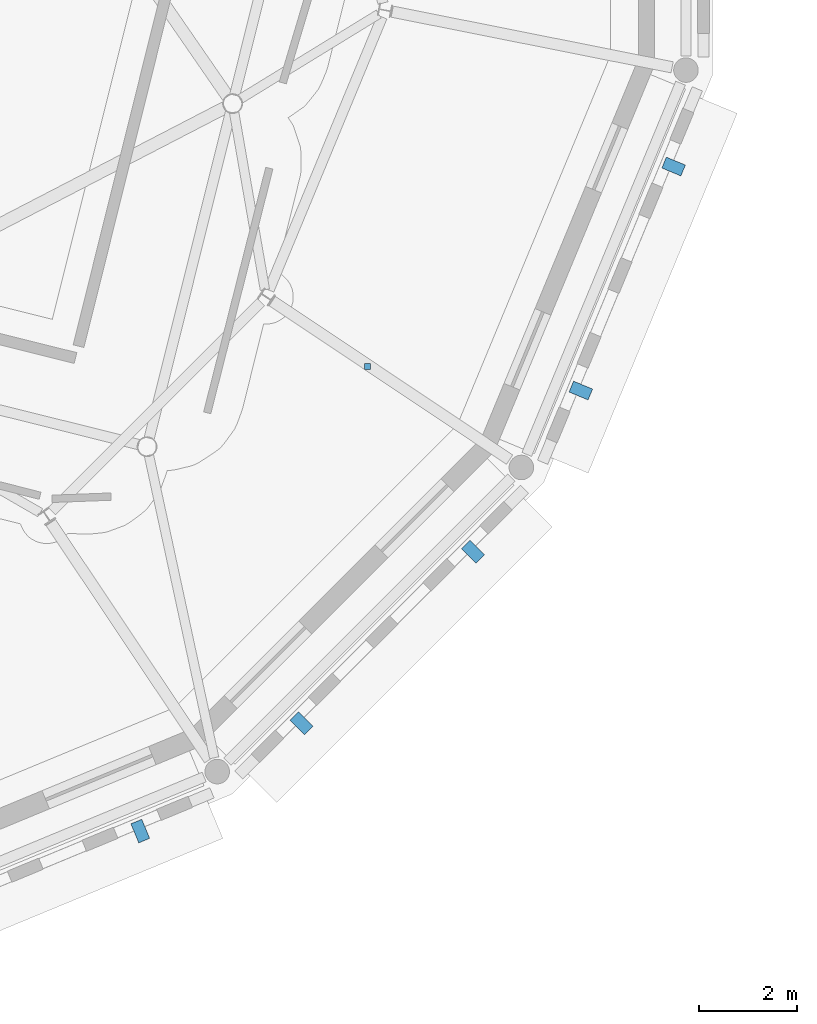
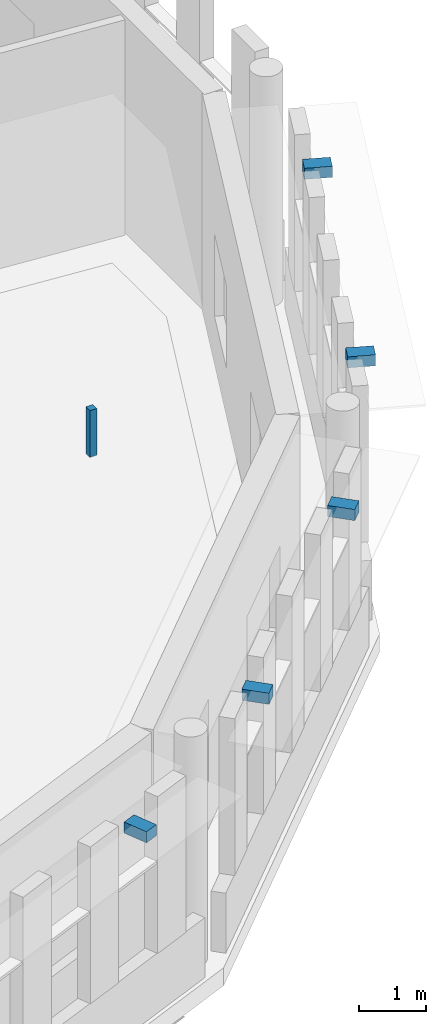
# One storey, part 81 of 90: 6 discrete accessories.
"""IFC4 building model written with IfcOpenShell, lengths in metres."""

import ifcopenshell
import ifcopenshell.guid

model = None  # the IFC model being written
_history = None  # IfcOwnerHistory: only IFC2X3 demands one
_inside = {}  # id of a spatial element -> (the spatial element, [elements in it])
_under = {}  # id of a project, library or spatial element -> (it, [spatial elements below it])
_declared = {}  # id of a project -> (the project, [libraries it declares])
_typed = {}  # id of a type object -> (the type object, [elements of that type])
_made_of = {}  # id of a material, layer set ... -> (it, [elements and type objects made of it])


def new_model(schema):
    """Start an empty IFC model of exactly this schema.

    Asked for "IFC4X3", IfcOpenShell would pick the latest addendum, in which some entities
    have other attributes; the version numbers below select the first issue.
    IFC2X3 requires an IfcOwnerHistory on every rooted entity: one is made here for all.
    """
    global model, _history
    if schema == "IFC4X3":
        model = ifcopenshell.file(schema_version=(4, 3, 0, 0))
    else:
        model = ifcopenshell.file(schema=schema)
    _inside.clear()
    _under.clear()
    _declared.clear()
    _typed.clear()
    _made_of.clear()
    _history = None
    if model.schema == "IFC2X3":
        org = make("IfcOrganization", Name="unknown")
        user = make(
            "IfcPersonAndOrganization",
            ThePerson=make("IfcPerson", FamilyName="unknown"),
            TheOrganization=org,
        )
        app = make(
            "IfcApplication",
            ApplicationDeveloper=org,
            Version="unknown",
            ApplicationFullName="unknown",
            ApplicationIdentifier="unknown",
        )
        _history = make(
            "IfcOwnerHistory",
            OwningUser=user,
            OwningApplication=app,
            ChangeAction="ADDED",
            CreationDate=0,
        )
    return model


def make(cls, **values):
    """One entity of the class cls with the attributes given. An attribute that is None is left unset."""
    return model.create_entity(
        cls, **{name: value for name, value in values.items() if value is not None}
    )


def rooted(cls, **values):
    """An entity with a GlobalId (a new one), such as an element, a storey or a relation."""
    return make(cls, GlobalId=ifcopenshell.guid.new(), OwnerHistory=_history, **values)


def si_unit(unit_type, name, prefix=None):
    """IfcSIUnit, for example si_unit("LENGTHUNIT", "METRE", prefix="MILLI")."""
    return make("IfcSIUnit", UnitType=unit_type, Prefix=prefix, Name=name)


def assignment(units):
    """IfcUnitAssignment: the units of a project."""
    return None if units is None else make("IfcUnitAssignment", Units=units)


def point(xyz):
    """IfcCartesianPoint."""
    return None if xyz is None else make("IfcCartesianPoint", Coordinates=xyz)


def direction(xyz):
    """IfcDirection."""
    return None if xyz is None else make("IfcDirection", DirectionRatios=xyz)


def frame(location, z_axis=None, x_axis=None):
    """IfcAxis2Placement3D, a coordinate frame: its origin and axes. An axis left out is left unset."""
    return make(
        "IfcAxis2Placement3D",
        Location=point(location),
        Axis=direction(z_axis),
        RefDirection=direction(x_axis),
    )


def frame_2d(location, x_axis=None):
    """IfcAxis2Placement2D, a coordinate frame in the plane: its origin and x axis."""
    return make(
        "IfcAxis2Placement2D", Location=point(location), RefDirection=direction(x_axis)
    )


def origin():
    """The frame at (0, 0, 0) with its axes left unset."""
    return frame((0.0, 0.0, 0.0))


def origin_2d():
    """The frame at (0, 0) in the plane with its x axis left unset."""
    return frame_2d((0.0, 0.0))


def place(relative_to, where):
    """IfcLocalPlacement: puts the frame where relative to a parent placement (None: the world)."""
    return make(
        "IfcLocalPlacement", PlacementRelTo=relative_to, RelativePlacement=where
    )


def context(
    kind, dimensions, precision=None, world=None, true_north=None, identifier=None
):
    """IfcGeometricRepresentationContext, for example the 3D "Model" context."""
    return make(
        "IfcGeometricRepresentationContext",
        ContextIdentifier=identifier,
        ContextType=kind,
        CoordinateSpaceDimension=dimensions,
        Precision=precision,
        WorldCoordinateSystem=world,
        TrueNorth=true_north,
    )


def subcontext(parent, identifier, kind, view, scale=None):
    """IfcGeometricRepresentationSubContext, for example "Body" below "Model"."""
    return make(
        "IfcGeometricRepresentationSubContext",
        ContextIdentifier=identifier,
        ContextType=kind,
        ParentContext=parent,
        TargetScale=scale,
        TargetView=view,
    )


def project(units=None, contexts=None):
    """IfcProject with its units and contexts."""
    return rooted(
        "IfcProject",
        Name="project",
        RepresentationContexts=contexts,
        UnitsInContext=assignment(units),
    )


def spatial(cls, under=None, at=None, **own):
    """A site, building, storey or space (cls), placed at a placement, below another one or the project."""
    s = rooted(cls, ObjectPlacement=at, **own)
    if under is not None:
        _under.setdefault(under.id(), (under, []))[1].append(s)
    return s


def profile(cls, at=None, kind="AREA", **sizes):
    """A parametric profile (cls). Its sizes go by their IFC names, for example OverallWidth=200.0."""
    return make(cls, ProfileType=kind, Position=at, **sizes)


def rectangle(**sizes):
    """IfcRectangleProfileDef."""
    return profile("IfcRectangleProfileDef", **sizes)


def extrude(swept, where, along, depth):
    """IfcExtrudedAreaSolid: the profile swept, set in the frame where, extruded along a direction by depth."""
    return make(
        "IfcExtrudedAreaSolid",
        SweptArea=swept,
        Position=where,
        ExtrudedDirection=direction(along),
        Depth=depth,
    )


def shape(context_of_items, identifier, shape_type, items):
    """IfcShapeRepresentation: the items that make up one representation, for example the "Body"."""
    return make(
        "IfcShapeRepresentation",
        ContextOfItems=context_of_items,
        RepresentationIdentifier=identifier,
        RepresentationType=shape_type,
        Items=items,
    )


def material(Name=None, Category=None):
    """IfcMaterial."""
    return make("IfcMaterial", Name=Name, Category=Category)


def made_of(thing, what):
    """Note that an element or type object is made of a material, layer set ...; save() writes the relation."""
    if what is not None:
        _made_of.setdefault(what.id(), (what, []))[1].append(thing)
    return thing


def type_object(cls, material=None, **own):
    """A type object (cls), such as IfcWallType, which elements share."""
    return made_of(rooted(cls, **own), material)


def element(
    cls,
    number,
    at=None,
    inside=None,
    cuts=None,
    type_object=None,
    material=None,
    context=None,
    identifier="Body",
    shape_type=None,
    held_by="IfcProductDefinitionShape",
    body=None,
    shapes=None,
    **own,
):
    """One element of the class cls, such as IfcWall. Its Tag is "e" and its number.

    at: its placement. inside: the storey or other place that contains it. cuts: it is an
    opening in that element (IfcRelVoidsElement). A single representation is given by context,
    identifier, shape_type and body (its items); several are given by shapes. held_by: the class
    of the entity that holds the representations. save() writes the other relations.
    """
    e = rooted(cls, Tag="e%d" % number, ObjectPlacement=at, **own)
    if body is not None:
        shapes = [shape(context, identifier, shape_type, body)]
    if shapes is not None:
        e.Representation = make(held_by, Representations=shapes)
    if inside is not None:
        _inside.setdefault(inside.id(), (inside, []))[1].append(e)
    if cuts is not None:
        rooted(
            "IfcRelVoidsElement", RelatingBuildingElement=cuts, RelatedOpeningElement=e
        )
    if type_object is not None:
        _typed.setdefault(type_object.id(), (type_object, []))[1].append(e)
    return made_of(e, material)


def aggregate(whole, parts):
    """IfcRelAggregates: a whole, such as a stair, and the parts it consists of."""
    return rooted("IfcRelAggregates", RelatingObject=whole, RelatedObjects=parts)


def save(model, path):
    """Write the relations noted so far, then the file.

    IfcRelAggregates (storeys below a building ...), IfcRelContainedInSpatialStructure (elements
    in a storey), IfcRelDefinesByType, IfcRelAssociatesMaterial and IfcRelDeclares: one each for
    every whole, place, type object, material and project.
    """
    for whole, parts in _under.values():
        aggregate(whole, parts)
    for where, things in _inside.values():
        rooted(
            "IfcRelContainedInSpatialStructure",
            RelatedElements=things,
            RelatingStructure=where,
        )
    for kind, things in _typed.values():
        rooted("IfcRelDefinesByType", RelatedObjects=things, RelatingType=kind)
    for what, things in _made_of.values():
        rooted("IfcRelAssociatesMaterial", RelatedObjects=things, RelatingMaterial=what)
    for by, libraries in _declared.values():
        rooted("IfcRelDeclares", RelatingContext=by, RelatedDefinitions=libraries)
    model.write(path)


model = new_model("IFC4")

# Units and contexts
model_context = context("Model", 3, precision=1e-05, world=origin(), true_north=direction((0.0, 1.0)))
body_context = subcontext(model_context, "Body", "Model", "MODEL_VIEW")
ifc_project = project(units=[si_unit("LENGTHUNIT", "METRE"), si_unit("AREAUNIT", "SQUARE_METRE"), si_unit("VOLUMEUNIT", "CUBIC_METRE"), si_unit("PLANEANGLEUNIT", "RADIAN"), si_unit("MASSUNIT", "GRAM", prefix="KILO")], contexts=[model_context])

# Site, building, storey
site_placement = place(None, origin())
site = spatial("IfcSite", under=ifc_project, at=site_placement, CompositionType="ELEMENT")
building_placement = place(site_placement, origin())
building = spatial("IfcBuilding", under=site, at=building_placement, Name="Wrenclough Park School", CompositionType="ELEMENT")
storey_placement = place(building_placement, frame((0.0, 0.0, 8.39990234375)))
storey = spatial("IfcBuildingStorey", under=building, at=storey_placement, Name="L02", CompositionType="ELEMENT", Elevation=8.39990234375)

# Discrete accessories
ifc_material_1 = material(Name="Austenitic stainless steel Grade 1.4401", Category="steel")
discrete_accessory_type_1 = type_object("IfcDiscreteAccessoryType", Name="ENV-BRK-01", PredefinedType="BRACKET", material=ifc_material_1)
for number, where, z_axis, x_axis, name in (
    (1, (166.406005859375, 6.622314453125, 3.5400390625), (0.0, 0.0, 1.0), (0.923879101997, 0.382684471717, 0.0), "Brise-soleil stainless outrigger bracket 0094"),
    (2, (169.69091796875, 8.8173828125, 3.5400390625), (0.0, 0.0, 1.0), (0.707106781187, 0.707106781187, 0.0), "Brise-soleil stainless outrigger bracket 0095"),
    (3, (173.1826171875, 12.30908203125, 3.5400390625), (0.0, 0.0, 1.0), (0.707106781187, 0.707106781187, 0.0), "Brise-soleil stainless outrigger bracket 0096"),
    (4, (175.377685546875, 15.593994140625, 3.5400390625), (0.0, 0.0, 1.0), (0.382684471717, 0.923879101997, 0.0), "Brise-soleil stainless outrigger bracket 0097"),
    (5, (177.26708984375, 20.156005859375, 3.5400390625), (0.0, 0.0, 1.0), (0.382684471717, 0.923879101997, 0.0), "Brise-soleil stainless outrigger bracket 0098"),
):
    element("IfcDiscreteAccessory", number, at=place(storey_placement, frame(where, z_axis=z_axis, x_axis=x_axis)), inside=storey, type_object=discrete_accessory_type_1, Name=name, PredefinedType="BRACKET", context=body_context, shape_type="SweptSolid", body=[
        extrude(rectangle(XDim=0.239990234375, YDim=0.419921875, at=origin_2d()), origin(), (0.0, 0.0, 1.0), 0.199951171875),
    ])
ifc_material_2 = material(Name="Galvanised steel acoustic ceiling suspension hanger", Category="steel")
discrete_accessory_type_2 = type_object("IfcDiscreteAccessoryType", Name="INT-BRK-HGR", PredefinedType="BRACKET", material=ifc_material_2)
discrete_accessory_placement = place(storey_placement, frame((171.02978515625, 16.086669921875, 3.090087890625), z_axis=(0.0, 0.0, 1.0), x_axis=(1.0, 0.0, 0.0)))
element("IfcDiscreteAccessory", 6, at=discrete_accessory_placement, inside=storey, type_object=discrete_accessory_type_2, Name="Acoustic ceiling hanger bracket 0046", PredefinedType="BRACKET", context=body_context, shape_type="SweptSolid", body=[
    extrude(rectangle(XDim=0.1201171875, YDim=0.1201171875, at=origin_2d()), origin(), (0.0, 0.0, 1.0), 0.85009765625),
])

save(model, "model.ifc")
